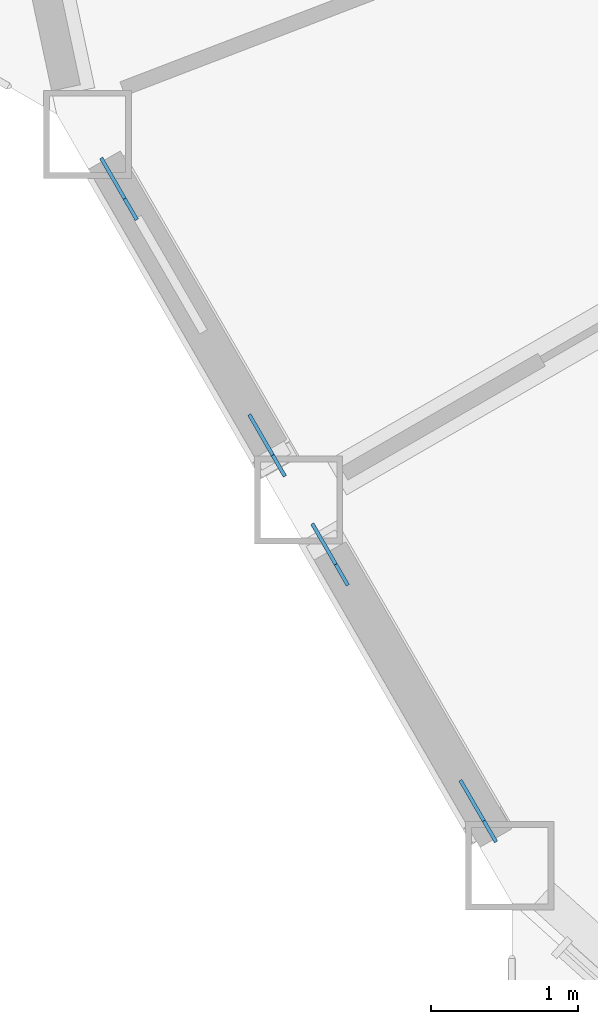
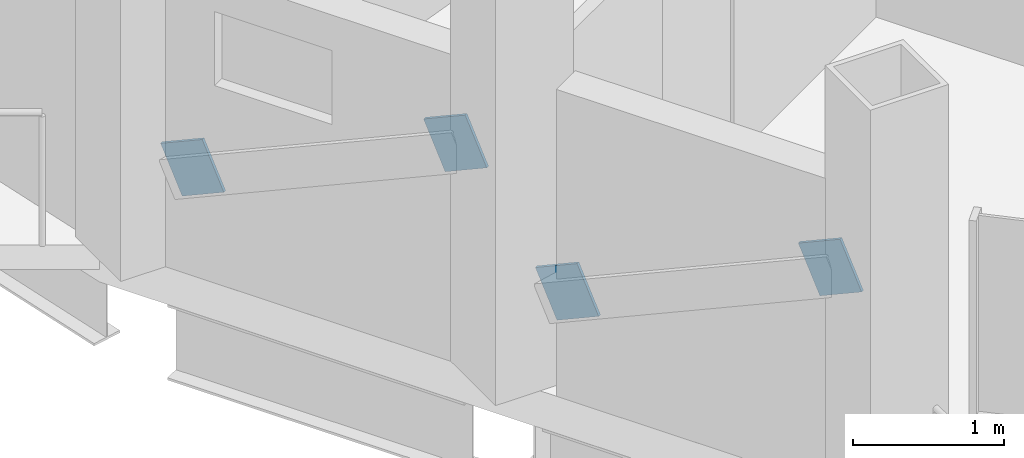
# One storey, part 20 of 27: 4 discrete accessories.
"""IFC4 building model written with IfcOpenShell, lengths in metres."""

from ifc_helpers import new_model, si_unit, direction, frame, origin, origin_2d, place, context, subcontext, project, spatial, rectangle, extrude, material, material_profile, profile_set, type_object, element, save


model = new_model("IFC4")

# Units and contexts
model_context = context("Model", 3, precision=1e-05, world=origin(), true_north=direction((0.0, 1.0)))
body_context = subcontext(model_context, "Body", "Model", "MODEL_VIEW")
ifc_project = project(units=[si_unit("LENGTHUNIT", "METRE"), si_unit("AREAUNIT", "SQUARE_METRE"), si_unit("VOLUMEUNIT", "CUBIC_METRE"), si_unit("PLANEANGLEUNIT", "RADIAN"), si_unit("MASSUNIT", "GRAM", prefix="KILO")], contexts=[model_context])

# Site, building, storey
site_placement = place(None, origin())
site = spatial("IfcSite", under=ifc_project, at=site_placement, CompositionType="ELEMENT")
building_placement = place(site_placement, origin())
building = spatial("IfcBuilding", under=site, at=building_placement, Name="Cormorant Prow Tower", CompositionType="ELEMENT")
storey_placement = place(building_placement, frame((0.0, 0.0, 332.39990234375)))
storey = spatial("IfcBuildingStorey", under=building, at=storey_placement, Name="L74", CompositionType="ELEMENT", Elevation=332.39990234375)

# Discrete accessories
ifc_material = material(Name="Structural steel ASTM A500 Gr C", Category="steel")
ifc_material_profile = material_profile(ifc_material, rectangle(XDim=0.02490234375, YDim=0.405029296875, at=origin_2d()), Name="Gusset plate 25x405")
ifc_profile_set = profile_set([ifc_material_profile], Name="Structural steel ASTM A500 Gr C")
discrete_accessory_type = type_object("IfcDiscreteAccessoryType", Name="Gusset plate 25x405", PredefinedType="BRACKET", material=ifc_profile_set)
for number, where, z_axis, x_axis, name in (
    (1, (-28.574951171875, -13.85888671875, 0.86376953125), (-0.456239480558, 0.790396531303, -0.408801736402), (-0.866071029786, -0.499920965119, 0.0), "Gusset plate GP3 L74.WSW00.g0"),
    (2, (-27.7265625, -15.328369140625, 1.624267578125), (0.456239480558, -0.790396531303, 0.408801736402), (0.866071029786, 0.499920965119, 0.0), "Gusset plate GP3 L74.WSW00.g1"),
    (3, (-27.137939453125, -16.34765625, 0.86376953125), (-0.45649114423, 0.790134518758, -0.409027233209), (-0.865879799044, -0.500252110048, 0.0), "Gusset plate GP3 L74.WSW01.g0"),
):
    element("IfcDiscreteAccessory", number, at=place(storey_placement, frame(where, z_axis=z_axis, x_axis=x_axis)), inside=storey, type_object=discrete_accessory_type, Name=name, PredefinedType="BRACKET", context=body_context, shape_type="SweptSolid", body=[
        extrude(rectangle(XDim=0.02490234375, YDim=0.405029296875, at=origin_2d()), origin(), (0.0, 0.0, 1.0), 0.349853515625),
    ])
discrete_accessory_placement = place(storey_placement, frame((-26.289794921875, -17.817138671875, 1.624267578125), z_axis=(0.456791619277, -0.790144892581, 0.408671586101), x_axis=(0.865740004385, 0.50049400077, 0.0)))
element("IfcDiscreteAccessory", 4, at=discrete_accessory_placement, inside=storey, type_object=discrete_accessory_type, Name="Gusset plate GP3 L74.WSW01.g1", PredefinedType="BRACKET", context=body_context, shape_type="SweptSolid", body=[
    extrude(rectangle(XDim=0.02490234375, YDim=0.405029296875, at=origin_2d()), origin(), (0.0, 0.0, 1.0), 0.35009765625),
])

save(model, "model.ifc")
